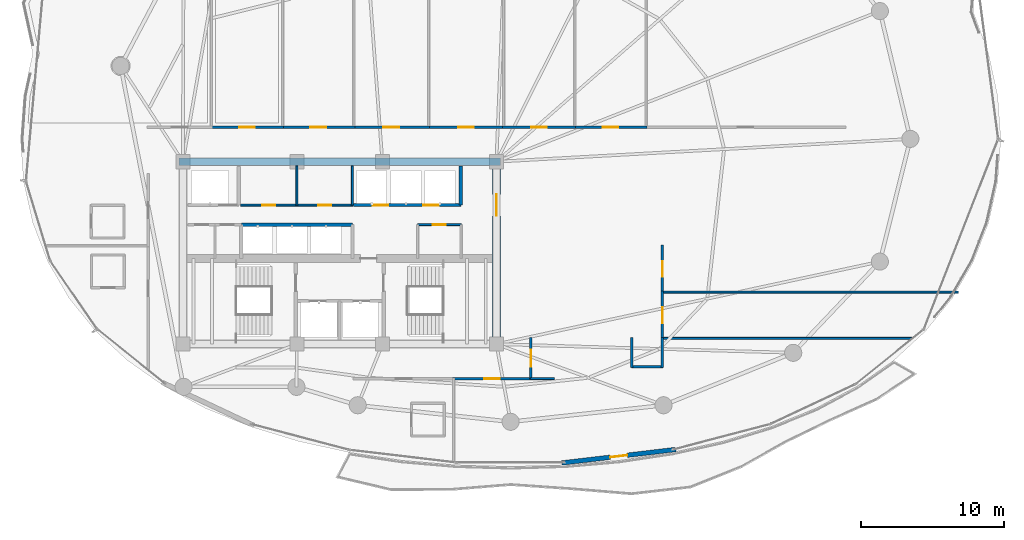
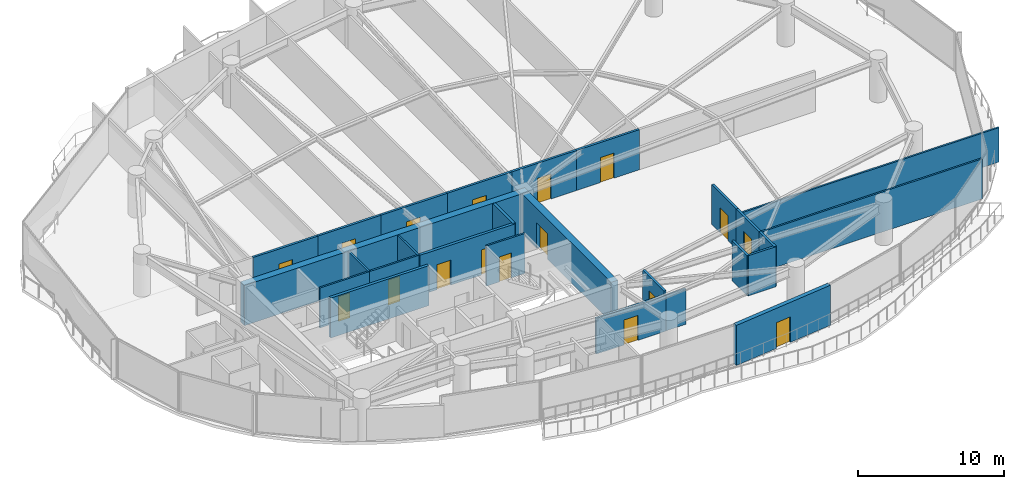
# One storey, part 27 of 33: 27 walls, 17 doors, 17 openings.
"""IFC4 building model written with IfcOpenShell, lengths in metres."""

from ifc_helpers import new_model, si_unit, direction, frame, frame_2d, origin, place, context, subcontext, project, spatial, rectangle, extrude, material, layer, layer_set, type_object, element, fill, save


model = new_model("IFC4")

# Units and contexts
model_context = context("Model", 3, precision=1e-05, world=origin(), true_north=direction((0.0, 1.0)))
body_context = subcontext(model_context, "Body", "Model", "MODEL_VIEW")
ifc_project = project(units=[si_unit("LENGTHUNIT", "METRE"), si_unit("AREAUNIT", "SQUARE_METRE"), si_unit("VOLUMEUNIT", "CUBIC_METRE"), si_unit("PLANEANGLEUNIT", "RADIAN"), si_unit("MASSUNIT", "GRAM", prefix="KILO")], contexts=[model_context])

# Site, building, storey
site_placement = place(None, origin())
site = spatial("IfcSite", under=ifc_project, at=site_placement, CompositionType="ELEMENT")
building_placement = place(site_placement, origin())
building = spatial("IfcBuilding", under=site, at=building_placement, Name="Kazevale Care Tower and Concert Hall", CompositionType="ELEMENT")
storey_placement = place(building_placement, frame((0.0, 0.0, 149.39990234375)))
storey = spatial("IfcBuildingStorey", under=building, at=storey_placement, Name="L39", CompositionType="ELEMENT", Elevation=149.39990234375)

# Wall, opening, door
ifc_material_1 = material(Name="Acoustic Gypsum on Steel Stud", Category="steel")
ifc_layer_1 = layer(ifc_material_1, 0.139892578125)
ifc_layer_set_1 = layer_set([ifc_layer_1], Name="Acoustic Gypsum on Steel Stud")
wall_type_1 = type_object("IfcWallType", Name="Acoustic Care & Suite Partition 140", PredefinedType="PARTITIONING", material=ifc_layer_set_1)
wall_1_placement = place(storey_placement, frame((26.050048828125, 33.35009765625, 0.0), z_axis=(0.0, 0.0, 1.0), x_axis=(1.0, 0.0, 0.0)))
wall_1 = element("IfcWall", 1, at=wall_1_placement, inside=storey, type_object=wall_type_1, Name="wall:L39:c_rpl1_s", PredefinedType="PARTITIONING", context=body_context, shape_type="SweptSolid", body=[
    extrude(rectangle(XDim=3.949951171875, YDim=0.139892578125, at=frame_2d((1.97509765625, 0.0))), origin(), (0.0, 0.0, 1.0), 3.360107421875),
])
opening_1_placement = place(wall_1_placement, frame((1.514892578125, 0.0, 0.0)))
opening_1 = element("IfcOpeningElement", 2, at=opening_1_placement, cuts=wall_1, Name="Opening ID-900", PredefinedType="OPENING", context=body_context, shape_type="SweptSolid", body=[
    extrude(rectangle(XDim=0.919921875, YDim=2.10009765625, at=frame_2d((0.4599609375, 1.050048828125))), frame((0.0, 0.079833984375, 0.0), z_axis=(0.0, -1.0, 0.0), x_axis=(1.0, 0.0, 0.0)), (0.0, 0.0, 1.0), 0.159912109375),
])
ifc_material_2 = material(Name="Oak Timber Fire Leaf", Category="wood")
door_type_1 = type_object("IfcDoorType", Name="Bathroom & Service Door 920x2100", OperationType="NOTDEFINED", PredefinedType="DOOR", material=ifc_material_2)
door_1_placement = place(opening_1_placement, origin())
door_1 = element("IfcDoor", 3, at=door_1_placement, inside=storey, type_object=door_type_1, Name="door:L39:d_rpl1", OperationType="SINGLE_SWING_LEFT", OverallHeight=2.10009765625, OverallWidth=0.919921875, PredefinedType="DOOR", context=body_context, shape_type="SweptSolid", body=[
    extrude(rectangle(XDim=0.919921875, YDim=2.10009765625, at=frame_2d((0.4599609375, 1.050048828125))), frame((0.0, 0.02490234375, 0.0), z_axis=(0.0, -1.0, 0.0), x_axis=(1.0, 0.0, 0.0)), (0.0, 0.0, 1.0), 0.050048828125),
])
fill(opening_1, door_1)

wall_2_placement = place(storey_placement, frame((30.0, 33.35009765625, 0.0), z_axis=(0.0, 0.0, 1.0), x_axis=(1.0, 0.0, 0.0)))
wall_2 = element("IfcWall", 4, at=wall_2_placement, inside=storey, type_object=wall_type_1, Name="wall:L39:c_rpl2_s", PredefinedType="PARTITIONING", context=body_context, shape_type="SweptSolid", body=[
    extrude(rectangle(XDim=3.919921875, YDim=0.139892578125, at=frame_2d((1.9599609375, 0.0))), origin(), (0.0, 0.0, 1.0), 3.360107421875),
])
opening_2_placement = place(wall_2_placement, frame((1.5, 0.0, 0.0)))
opening_2 = element("IfcOpeningElement", 5, at=opening_2_placement, cuts=wall_2, Name="Opening ID-900", PredefinedType="OPENING", context=body_context, shape_type="SweptSolid", body=[
    extrude(rectangle(XDim=0.919921875, YDim=2.10009765625, at=frame_2d((0.4599609375, 1.050048828125))), frame((0.0, 0.079833984375, 0.0), z_axis=(0.0, -1.0, 0.0), x_axis=(1.0, 0.0, 0.0)), (0.0, 0.0, 1.0), 0.159912109375),
])
door_2_placement = place(opening_2_placement, origin())
door_2 = element("IfcDoor", 6, at=door_2_placement, inside=storey, type_object=door_type_1, Name="door:L39:d_rpl2", OperationType="SINGLE_SWING_RIGHT", OverallHeight=2.10009765625, OverallWidth=0.919921875, PredefinedType="DOOR", context=body_context, shape_type="SweptSolid", body=[
    extrude(rectangle(XDim=0.919921875, YDim=2.10009765625, at=frame_2d((0.4599609375, 1.050048828125))), frame((0.0, 0.02490234375, 0.0), z_axis=(0.0, -1.0, 0.0), x_axis=(1.0, 0.0, 0.0)), (0.0, 0.0, 1.0), 0.050048828125),
])
fill(opening_2, door_2)

# Walls
for number, where, z_axis, x_axis, name in (
    (7, (30.0, 33.35009765625, 0.0), (0.0, 0.0, 1.0), (0.0, 1.0, 0.0), "wall:L39:c_rpl_m"),
    (8, (33.89990234375, 33.35009765625, 0.0), (0.0, 0.0, 1.0), (0.0, 1.0, 0.0), "wall:L39:c_rpl_e"),
):
    element("IfcWall", number, at=place(storey_placement, frame(where, z_axis=z_axis, x_axis=x_axis)), inside=storey, type_object=wall_type_1, Name=name, PredefinedType="PARTITIONING", context=body_context, shape_type="SweptSolid", body=[
        extrude(rectangle(XDim=2.75, YDim=0.139892578125, at=frame_2d((1.375, 0.0))), origin(), (0.0, 0.0, 1.0), 3.360107421875),
    ])

# Wall, opening, door
wall_3_placement = place(storey_placement, frame((38.47998046875, 31.97998046875, 0.0), z_axis=(0.0, 0.0, 1.0), x_axis=(1.0, 0.0, 0.0)))
wall_3 = element("IfcWall", 9, at=wall_3_placement, inside=storey, type_object=wall_type_1, Name="wall:L39:kb_en", PredefinedType="PARTITIONING", context=body_context, shape_type="SweptSolid", body=[
    extrude(rectangle(XDim=3.0400390625, YDim=0.139892578125, at=frame_2d((1.52001953125, 0.0))), origin(), (0.0, 0.0, 1.0), 3.360107421875),
])
opening_3_placement = place(wall_3_placement, frame((1.044921875, 0.0, 0.0)))
opening_3 = element("IfcOpeningElement", 10, at=opening_3_placement, cuts=wall_3, Name="Opening ID-900", PredefinedType="OPENING", context=body_context, shape_type="SweptSolid", body=[
    extrude(rectangle(XDim=0.919921875, YDim=2.10009765625, at=frame_2d((0.4599609375, 1.050048828125))), frame((0.0, 0.079833984375, 0.0), z_axis=(0.0, -1.0, 0.0), x_axis=(1.0, 0.0, 0.0)), (0.0, 0.0, 1.0), 0.159912109375),
])
door_3_placement = place(opening_3_placement, origin())
door_3 = element("IfcDoor", 11, at=door_3_placement, inside=storey, type_object=door_type_1, Name="door:L39:d_kbe", OperationType="SINGLE_SWING_LEFT", OverallHeight=2.10009765625, OverallWidth=0.919921875, PredefinedType="DOOR", context=body_context, shape_type="SweptSolid", body=[
    extrude(rectangle(XDim=0.919921875, YDim=2.10009765625, at=frame_2d((0.4599609375, 1.050048828125))), frame((0.0, 0.02490234375, 0.0), z_axis=(0.0, -1.0, 0.0), x_axis=(1.0, 0.0, 0.0)), (0.0, 0.0, 1.0), 0.050048828125),
])
fill(opening_3, door_3)

# Walls
wall_4_placement = place(storey_placement, frame((55.6201171875, 24.0, 0.0), z_axis=(0.0, 0.0, 1.0), x_axis=(1.0, 0.0, 0.0)))
element("IfcWall", 12, at=wall_4_placement, inside=storey, type_object=wall_type_1, Name="wall:L39:auto_026", PredefinedType="PARTITIONING", context=body_context, shape_type="SweptSolid", body=[
    extrude(rectangle(XDim=17.572998046875, YDim=0.139892578125, at=frame_2d((8.78662109375, 0.0))), origin(), (0.0, 0.0, 1.0), 3.360107421875),
])
wall_5_placement = place(storey_placement, frame((48.06494140625, 21.175048828125, 0.0), z_axis=(0.0, 0.0, 1.0), x_axis=(-1.0, 0.0, 0.0)))
element("IfcWall", 13, at=wall_5_placement, inside=storey, type_object=wall_type_1, Name="wall:L39:auto_027", PredefinedType="PARTITIONING", context=body_context, shape_type="SweptSolid", body=[
    extrude(rectangle(XDim=1.669921875, YDim=0.139892578125, at=frame_2d((0.8349609375, 0.0))), origin(), (0.0, 0.0, 1.0), 2.99609375),
])
wall_6_placement = place(storey_placement, frame((55.6201171875, 27.25, 0.0), z_axis=(0.0, 0.0, 1.0), x_axis=(1.0, 0.0, 0.0)))
element("IfcWall", 14, at=wall_6_placement, inside=storey, type_object=wall_type_1, Name="wall:L39:auto_028", PredefinedType="PARTITIONING", context=body_context, shape_type="SweptSolid", body=[
    extrude(rectangle(XDim=20.79296875, YDim=0.139892578125, at=frame_2d((10.396484375, 0.0))), origin(), (0.0, 0.0, 1.0), 2.89013671875),
])
ifc_material_3 = material(Name="Concrete C60", Category="concrete")
ifc_layer_2 = layer(ifc_material_3, 0.550048828125)
ifc_layer_set_2 = layer_set([ifc_layer_2], Name="Concrete C60")
wall_type_2 = type_object("IfcWallType", Name="Core Shear Wall 550 C60", PredefinedType="SHEAR", material=ifc_layer_set_2)
wall_7_placement = place(storey_placement, frame((21.72509765625, 36.39990234375, 0.0), z_axis=(0.0, 0.0, 1.0), x_axis=(1.0, 0.0, 0.0)))
element("IfcWall", 15, at=wall_7_placement, inside=storey, type_object=wall_type_2, Name="wall:L39:core:N", PredefinedType="SHEAR", context=body_context, shape_type="SweptSolid", body=[
    extrude(rectangle(XDim=22.5498046875, YDim=0.550048828125, at=frame_2d((11.27490234375, 0.0))), origin(), (0.0, 0.0, 1.0), 3.360107421875),
])

# Wall, opening, door
wall_8_placement = place(storey_placement, frame((44.0, 23.875, 0.0), z_axis=(0.0, 0.0, 1.0), x_axis=(0.0, 1.0, 0.0)))
wall_8 = element("IfcWall", 16, at=wall_8_placement, inside=storey, type_object=wall_type_2, Name="wall:L39:core:E", PredefinedType="SHEAR", context=body_context, shape_type="SweptSolid", body=[
    extrude(rectangle(XDim=12.25, YDim=0.550048828125, at=frame_2d((6.125, 0.0))), origin(), (0.0, 0.0, 1.0), 3.360107421875),
])
opening_4_placement = place(wall_8_placement, frame((8.72509765625, 0.0, 0.0)))
opening_4 = element("IfcOpeningElement", 17, at=opening_4_placement, cuts=wall_8, Name="Opening FD-60D", PredefinedType="OPENING", context=body_context, shape_type="SweptSolid", body=[
    extrude(rectangle(XDim=1.5, YDim=2.14990234375, at=frame_2d((0.75, 1.074951171875))), frame((0.0, 0.284912109375, 0.0), z_axis=(0.0, -1.0, 0.0), x_axis=(1.0, 0.0, 0.0)), (0.0, 0.0, 1.0), 0.570068359375),
])
door_type_2 = type_object("IfcDoorType", Name="Double Lobby & Auditorium Fire Door 1500x2150", OperationType="NOTDEFINED", PredefinedType="DOOR", material=ifc_material_2)
door_4_placement = place(opening_4_placement, origin())
door_4 = element("IfcDoor", 18, at=door_4_placement, inside=storey, type_object=door_type_2, Name="door:L39:core_east_out", OperationType="DOUBLE_DOOR_SINGLE_SWING", OverallHeight=2.14990234375, OverallWidth=1.5, PredefinedType="DOOR", context=body_context, shape_type="SweptSolid", body=[
    extrude(rectangle(XDim=1.5, YDim=2.14990234375, at=frame_2d((0.75, 1.074951171875))), frame((0.0, 0.02490234375, 0.0), z_axis=(0.0, -1.0, 0.0), x_axis=(1.0, 0.0, 0.0)), (0.0, 0.0, 1.0), 0.050048828125),
])
fill(opening_4, door_4)

# Wall
ifc_material_4 = material(Name="Concrete C40", Category="concrete")
ifc_layer_3 = layer(ifc_material_4, 0.219970703125)
ifc_layer_set_3 = layer_set([ifc_layer_3], Name="Concrete C40")
wall_type_3 = type_object("IfcWallType", Name="Elevator Hoistway Shaft Wall 220", PredefinedType="SOLIDWALL", material=ifc_layer_set_3)
wall_9_placement = place(storey_placement, frame((26.10009765625, 31.97998046875, 0.0), z_axis=(0.0, 0.0, 1.0), x_axis=(1.0, 0.0, 0.0)))
element("IfcWall", 19, at=wall_9_placement, inside=storey, type_object=wall_type_3, Name="wall:L39:c_ph_n", PredefinedType="SOLIDWALL", context=body_context, shape_type="SweptSolid", body=[
    extrude(rectangle(XDim=7.7998046875, YDim=0.219970703125, at=frame_2d((3.89990234375, 0.0))), origin(), (0.0, 0.0, 1.0), 3.360107421875),
])

# Wall, openings, doors
wall_10_placement = place(storey_placement, frame((33.97998046875, 33.35009765625, 0.0), z_axis=(0.0, 0.0, 1.0), x_axis=(1.0, 0.0, 0.0)))
wall_10 = element("IfcWall", 20, at=wall_10_placement, inside=storey, type_object=wall_type_3, Name="wall:L39:c_pm_s", PredefinedType="SOLIDWALL", context=body_context, shape_type="SweptSolid", body=[
    extrude(rectangle(XDim=7.5400390625, YDim=0.219970703125, at=frame_2d((3.77001953125, 0.0))), origin(), (0.0, 0.0, 1.0), 3.360107421875),
])
opening_5_placement = place(wall_10_placement, frame((1.3349609375, 0.0, 0.0)))
opening_5 = element("IfcOpeningElement", 21, at=opening_5_placement, cuts=wall_10, Name="Opening LD-PAX", PredefinedType="OPENING", context=body_context, shape_type="SweptSolid", body=[
    extrude(rectangle(XDim=1.10009765625, YDim=2.10009765625, at=frame_2d((0.550048828125, 1.050048828125))), frame((0.0, 0.119873046875, 0.0), z_axis=(0.0, -1.0, 0.0), x_axis=(1.0, 0.0, 0.0)), (0.0, 0.0, 1.0), 0.239990234375),
])
opening_6_placement = place(wall_10_placement, frame((4.87890625, 0.0, 0.0)))
opening_6 = element("IfcOpeningElement", 22, at=opening_6_placement, cuts=wall_10, Name="Opening LD-PAX", PredefinedType="OPENING", context=body_context, shape_type="SweptSolid", body=[
    extrude(rectangle(XDim=1.10009765625, YDim=2.10009765625, at=frame_2d((0.550048828125, 1.050048828125))), frame((0.0, 0.119873046875, 0.0), z_axis=(0.0, -1.0, 0.0), x_axis=(1.0, 0.0, 0.0)), (0.0, 0.0, 1.0), 0.239990234375),
])
ifc_material_5 = material(Name="Stainless Steel 316", Category="steel")
door_type_3 = type_object("IfcDoorType", Name="Passenger Lift Sliding Landing Door 1100x2100", OperationType="NOTDEFINED", PredefinedType="DOOR", material=ifc_material_5)
door_5_placement = place(opening_5_placement, origin())
door_5 = element("IfcDoor", 23, at=door_5_placement, inside=storey, type_object=door_type_3, Name="door:L39:ld_pm1", OperationType="SLIDING_TO_LEFT", OverallHeight=2.10009765625, OverallWidth=1.10009765625, PredefinedType="DOOR", context=body_context, shape_type="SweptSolid", body=[
    extrude(rectangle(XDim=1.10009765625, YDim=2.10009765625, at=frame_2d((0.550048828125, 1.050048828125))), frame((0.0, 0.02490234375, 0.0), z_axis=(0.0, -1.0, 0.0), x_axis=(1.0, 0.0, 0.0)), (0.0, 0.0, 1.0), 0.050048828125),
])
fill(opening_5, door_5)
door_6_placement = place(opening_6_placement, origin())
door_6 = element("IfcDoor", 24, at=door_6_placement, inside=storey, type_object=door_type_3, Name="door:L39:ld_pm2", OperationType="SLIDING_TO_RIGHT", OverallHeight=2.10009765625, OverallWidth=1.10009765625, PredefinedType="DOOR", context=body_context, shape_type="SweptSolid", body=[
    extrude(rectangle(XDim=1.10009765625, YDim=2.10009765625, at=frame_2d((0.550048828125, 1.050048828125))), frame((0.0, 0.02490234375, 0.0), z_axis=(0.0, -1.0, 0.0), x_axis=(1.0, 0.0, 0.0)), (0.0, 0.0, 1.0), 0.050048828125),
])
fill(opening_6, door_6)

# Wall
wall_11_placement = place(storey_placement, frame((41.5, 33.35009765625, 0.0), z_axis=(0.0, 0.0, 1.0), x_axis=(0.0, 1.0, 0.0)))
element("IfcWall", 25, at=wall_11_placement, inside=storey, type_object=wall_type_3, Name="wall:L39:c_pm_e", PredefinedType="SOLIDWALL", context=body_context, shape_type="SweptSolid", body=[
    extrude(rectangle(XDim=2.75, YDim=0.219970703125, at=frame_2d((1.375, 0.0))), origin(), (0.0, 0.0, 1.0), 3.360107421875),
])

# Wall, opening, door
ifc_material_6 = material(Name="Concrete C40 and Acoustic Gypsum", Category="concrete")
ifc_layer_4 = layer(ifc_material_6, 0.179931640625)
ifc_layer_set_4 = layer_set([ifc_layer_4], Name="Concrete C40 and Acoustic Gypsum")
wall_type_4 = type_object("IfcWallType", Name="Fire-Rated Corridor & Party Wall 180", PredefinedType="PARTITIONING", material=ifc_layer_set_4)
wall_12_placement = place(storey_placement, frame((23.93505859375, 38.824951171875, 0.0), z_axis=(0.0, 0.0, 1.0), x_axis=(1.0, 0.0, 0.0)))
wall_12 = element("IfcWall", 26, at=wall_12_placement, inside=storey, type_object=wall_type_4, Name="wall:L39:auto_002", PredefinedType="PARTITIONING", context=body_context, shape_type="SweptSolid", body=[
    extrude(rectangle(XDim=5.1298828125, YDim=0.179931640625, at=frame_2d((2.56494140625, 0.0))), origin(), (0.0, 0.0, 1.0), 3.360107421875),
])
opening_7_placement = place(wall_12_placement, frame((2.014892578125, 0.0, 0.0)))
opening_7 = element("IfcOpeningElement", 27, at=opening_7_placement, cuts=wall_12, Name="Opening ID-1100", PredefinedType="OPENING", context=body_context, shape_type="SweptSolid", body=[
    extrude(rectangle(XDim=1.10009765625, YDim=2.10009765625, at=frame_2d((0.550048828125, 1.050048828125))), frame((0.0, 0.099853515625, 0.0), z_axis=(0.0, -1.0, 0.0), x_axis=(1.0, 0.0, 0.0)), (0.0, 0.0, 1.0), 0.199951171875),
])
door_type_4 = type_object("IfcDoorType", Name="Care Bedroom Accessible Door 1100x2100", OperationType="NOTDEFINED", PredefinedType="DOOR", material=ifc_material_2)
door_7_placement = place(opening_7_placement, origin())
door_7 = element("IfcDoor", 28, at=door_7_placement, inside=storey, type_object=door_type_4, Name="door:L39:ad_002", OperationType="SINGLE_SWING_LEFT", OverallHeight=2.10009765625, OverallWidth=1.10009765625, PredefinedType="DOOR", context=body_context, shape_type="SweptSolid", body=[
    extrude(rectangle(XDim=1.10009765625, YDim=2.10009765625, at=frame_2d((0.550048828125, 1.050048828125))), frame((0.0, 0.02490234375, 0.0), z_axis=(0.0, -1.0, 0.0), x_axis=(1.0, 0.0, 0.0)), (0.0, 0.0, 1.0), 0.050048828125),
])
fill(opening_7, door_7)

wall_13_placement = place(storey_placement, frame((28.93505859375, 38.824951171875, 0.0), z_axis=(0.0, 0.0, 1.0), x_axis=(1.0, 0.0, 0.0)))
wall_13 = element("IfcWall", 29, at=wall_13_placement, inside=storey, type_object=wall_type_4, Name="wall:L39:auto_003", PredefinedType="PARTITIONING", context=body_context, shape_type="SweptSolid", body=[
    extrude(rectangle(XDim=5.1298828125, YDim=0.179931640625, at=frame_2d((2.56494140625, 0.0))), origin(), (0.0, 0.0, 1.0), 3.360107421875),
])
opening_8_placement = place(wall_13_placement, frame((2.014892578125, 0.0, 0.0)))
opening_8 = element("IfcOpeningElement", 30, at=opening_8_placement, cuts=wall_13, Name="Opening ID-1100", PredefinedType="OPENING", context=body_context, shape_type="SweptSolid", body=[
    extrude(rectangle(XDim=1.10009765625, YDim=2.10009765625, at=frame_2d((0.550048828125, 1.050048828125))), frame((0.0, 0.099853515625, 0.0), z_axis=(0.0, -1.0, 0.0), x_axis=(1.0, 0.0, 0.0)), (0.0, 0.0, 1.0), 0.199951171875),
])
door_8_placement = place(opening_8_placement, origin())
door_8 = element("IfcDoor", 31, at=door_8_placement, inside=storey, type_object=door_type_4, Name="door:L39:ad_003", OperationType="SINGLE_SWING_LEFT", OverallHeight=2.10009765625, OverallWidth=1.10009765625, PredefinedType="DOOR", context=body_context, shape_type="SweptSolid", body=[
    extrude(rectangle(XDim=1.10009765625, YDim=2.10009765625, at=frame_2d((0.550048828125, 1.050048828125))), frame((0.0, 0.02490234375, 0.0), z_axis=(0.0, -1.0, 0.0), x_axis=(1.0, 0.0, 0.0)), (0.0, 0.0, 1.0), 0.050048828125),
])
fill(opening_8, door_8)

wall_14_placement = place(storey_placement, frame((33.93505859375, 38.824951171875, 0.0), z_axis=(0.0, 0.0, 1.0), x_axis=(1.0, 0.0, 0.0)))
wall_14 = element("IfcWall", 32, at=wall_14_placement, inside=storey, type_object=wall_type_4, Name="wall:L39:auto_004", PredefinedType="PARTITIONING", context=body_context, shape_type="SweptSolid", body=[
    extrude(rectangle(XDim=5.3798828125, YDim=0.179931640625, at=frame_2d((2.68994140625, 0.0))), origin(), (0.0, 0.0, 1.0), 3.360107421875),
])
opening_9_placement = place(wall_14_placement, frame((2.139892578125, 0.0, 0.0)))
opening_9 = element("IfcOpeningElement", 33, at=opening_9_placement, cuts=wall_14, Name="Opening ID-1100", PredefinedType="OPENING", context=body_context, shape_type="SweptSolid", body=[
    extrude(rectangle(XDim=1.10009765625, YDim=2.10009765625, at=frame_2d((0.550048828125, 1.050048828125))), frame((0.0, 0.099853515625, 0.0), z_axis=(0.0, -1.0, 0.0), x_axis=(1.0, 0.0, 0.0)), (0.0, 0.0, 1.0), 0.199951171875),
])
door_9_placement = place(opening_9_placement, origin())
door_9 = element("IfcDoor", 34, at=door_9_placement, inside=storey, type_object=door_type_4, Name="door:L39:ad_004", OperationType="SINGLE_SWING_LEFT", OverallHeight=2.10009765625, OverallWidth=1.10009765625, PredefinedType="DOOR", context=body_context, shape_type="SweptSolid", body=[
    extrude(rectangle(XDim=1.10009765625, YDim=2.10009765625, at=frame_2d((0.550048828125, 1.050048828125))), frame((0.0, 0.02490234375, 0.0), z_axis=(0.0, -1.0, 0.0), x_axis=(1.0, 0.0, 0.0)), (0.0, 0.0, 1.0), 0.050048828125),
])
fill(opening_9, door_9)

wall_15_placement = place(storey_placement, frame((39.18505859375, 38.824951171875, 0.0), z_axis=(0.0, 0.0, 1.0), x_axis=(1.0, 0.0, 0.0)))
wall_15 = element("IfcWall", 35, at=wall_15_placement, inside=storey, type_object=wall_type_4, Name="wall:L39:auto_005", PredefinedType="PARTITIONING", context=body_context, shape_type="SweptSolid", body=[
    extrude(rectangle(XDim=5.3798828125, YDim=0.179931640625, at=frame_2d((2.68994140625, 0.0))), origin(), (0.0, 0.0, 1.0), 3.360107421875),
])
opening_10_placement = place(wall_15_placement, frame((2.139892578125, 0.0, 0.0)))
opening_10 = element("IfcOpeningElement", 36, at=opening_10_placement, cuts=wall_15, Name="Opening ID-1100", PredefinedType="OPENING", context=body_context, shape_type="SweptSolid", body=[
    extrude(rectangle(XDim=1.10009765625, YDim=2.10009765625, at=frame_2d((0.550048828125, 1.050048828125))), frame((0.0, 0.099853515625, 0.0), z_axis=(0.0, -1.0, 0.0), x_axis=(1.0, 0.0, 0.0)), (0.0, 0.0, 1.0), 0.199951171875),
])
door_10_placement = place(opening_10_placement, origin())
door_10 = element("IfcDoor", 37, at=door_10_placement, inside=storey, type_object=door_type_4, Name="door:L39:ad_005", OperationType="SINGLE_SWING_LEFT", OverallHeight=2.10009765625, OverallWidth=1.10009765625, PredefinedType="DOOR", context=body_context, shape_type="SweptSolid", body=[
    extrude(rectangle(XDim=1.10009765625, YDim=2.10009765625, at=frame_2d((0.550048828125, 1.050048828125))), frame((0.0, 0.02490234375, 0.0), z_axis=(0.0, -1.0, 0.0), x_axis=(1.0, 0.0, 0.0)), (0.0, 0.0, 1.0), 0.050048828125),
])
fill(opening_10, door_10)

wall_16_placement = place(storey_placement, frame((44.43505859375, 38.824951171875, 0.0), z_axis=(0.0, 0.0, 1.0), x_axis=(1.0, 0.0, 0.0)))
wall_16 = element("IfcWall", 38, at=wall_16_placement, inside=storey, type_object=wall_type_4, Name="wall:L39:auto_006", PredefinedType="PARTITIONING", context=body_context, shape_type="SweptSolid", body=[
    extrude(rectangle(XDim=5.1298828125, YDim=0.179931640625, at=frame_2d((2.56494140625, 0.0))), origin(), (0.0, 0.0, 1.0), 3.360107421875),
])
opening_11_placement = place(wall_16_placement, frame((2.014892578125, 0.0, 0.0)))
opening_11 = element("IfcOpeningElement", 39, at=opening_11_placement, cuts=wall_16, Name="Opening ID-1100", PredefinedType="OPENING", context=body_context, shape_type="SweptSolid", body=[
    extrude(rectangle(XDim=1.10009765625, YDim=2.10009765625, at=frame_2d((0.550048828125, 1.050048828125))), frame((0.0, 0.099853515625, 0.0), z_axis=(0.0, -1.0, 0.0), x_axis=(1.0, 0.0, 0.0)), (0.0, 0.0, 1.0), 0.199951171875),
])
door_11_placement = place(opening_11_placement, origin())
door_11 = element("IfcDoor", 40, at=door_11_placement, inside=storey, type_object=door_type_4, Name="door:L39:ad_006", OperationType="SINGLE_SWING_LEFT", OverallHeight=2.10009765625, OverallWidth=1.10009765625, PredefinedType="DOOR", context=body_context, shape_type="SweptSolid", body=[
    extrude(rectangle(XDim=1.10009765625, YDim=2.10009765625, at=frame_2d((0.550048828125, 1.050048828125))), frame((0.0, 0.02490234375, 0.0), z_axis=(0.0, -1.0, 0.0), x_axis=(1.0, 0.0, 0.0)), (0.0, 0.0, 1.0), 0.050048828125),
])
fill(opening_11, door_11)

wall_17_placement = place(storey_placement, frame((49.43505859375, 38.824951171875, 0.0), z_axis=(0.0, 0.0, 1.0), x_axis=(1.0, 0.0, 0.0)))
wall_17 = element("IfcWall", 41, at=wall_17_placement, inside=storey, type_object=wall_type_4, Name="wall:L39:auto_007", PredefinedType="PARTITIONING", context=body_context, shape_type="SweptSolid", body=[
    extrude(rectangle(XDim=5.1298828125, YDim=0.179931640625, at=frame_2d((2.56494140625, 0.0))), origin(), (0.0, 0.0, 1.0), 3.360107421875),
])
opening_12_placement = place(wall_17_placement, frame((2.014892578125, 0.0, 0.0)))
opening_12 = element("IfcOpeningElement", 42, at=opening_12_placement, cuts=wall_17, Name="Opening ID-1100", PredefinedType="OPENING", context=body_context, shape_type="SweptSolid", body=[
    extrude(rectangle(XDim=1.10009765625, YDim=2.10009765625, at=frame_2d((0.550048828125, 1.050048828125))), frame((0.0, 0.099853515625, 0.0), z_axis=(0.0, -1.0, 0.0), x_axis=(1.0, 0.0, 0.0)), (0.0, 0.0, 1.0), 0.199951171875),
])
door_12_placement = place(opening_12_placement, origin())
door_12 = element("IfcDoor", 43, at=door_12_placement, inside=storey, type_object=door_type_4, Name="door:L39:ad_007", OperationType="SINGLE_SWING_LEFT", OverallHeight=2.10009765625, OverallWidth=1.10009765625, PredefinedType="DOOR", context=body_context, shape_type="SweptSolid", body=[
    extrude(rectangle(XDim=1.10009765625, YDim=2.10009765625, at=frame_2d((0.550048828125, 1.050048828125))), frame((0.0, 0.02490234375, 0.0), z_axis=(0.0, -1.0, 0.0), x_axis=(1.0, 0.0, 0.0)), (0.0, 0.0, 1.0), 0.050048828125),
])
fill(opening_12, door_12)

wall_18_placement = place(storey_placement, frame((46.425048828125, 24.06494140625, 0.0), z_axis=(0.0, 0.0, 1.0), x_axis=(0.0, -1.0, 0.0)))
wall_18 = element("IfcWall", 44, at=wall_18_placement, inside=storey, type_object=wall_type_4, Name="wall:L39:auto_009", PredefinedType="PARTITIONING", context=body_context, shape_type="SweptSolid", body=[
    extrude(rectangle(XDim=2.919921875, YDim=0.179931640625, at=frame_2d((1.4599609375, 0.0))), origin(), (0.0, 0.0, 1.0), 3.360107421875),
])
opening_13_placement = place(wall_18_placement, frame((0.860107421875, 0.0, 0.0)))
opening_13 = element("IfcOpeningElement", 45, at=opening_13_placement, cuts=wall_18, Name="Opening ID-1200", PredefinedType="OPENING", context=body_context, shape_type="SweptSolid", body=[
    extrude(rectangle(XDim=1.199951171875, YDim=2.14990234375, at=frame_2d((0.60009765625, 1.074951171875))), frame((0.0, 0.099853515625, 0.0), z_axis=(0.0, -1.0, 0.0), x_axis=(1.0, 0.0, 0.0)), (0.0, 0.0, 1.0), 0.199951171875),
])
door_type_5 = type_object("IfcDoorType", Name="Clinical & Therapy Door 1200x2150", OperationType="NOTDEFINED", PredefinedType="DOOR", material=ifc_material_2)
door_13_placement = place(opening_13_placement, origin())
door_13 = element("IfcDoor", 46, at=door_13_placement, inside=storey, type_object=door_type_5, Name="door:L39:ad_009", OperationType="SINGLE_SWING_LEFT", OverallHeight=2.14990234375, OverallWidth=1.199951171875, PredefinedType="DOOR", context=body_context, shape_type="SweptSolid", body=[
    extrude(rectangle(XDim=1.199951171875, YDim=2.14990234375, at=frame_2d((0.60009765625, 1.074951171875))), frame((0.0, 0.02490234375, 0.0), z_axis=(0.0, -1.0, 0.0), x_axis=(1.0, 0.0, 0.0)), (0.0, 0.0, 1.0), 0.050048828125),
])
fill(opening_13, door_13)

# Walls
wall_19_placement = place(storey_placement, frame((55.679931640625, 22.0, 0.0), z_axis=(0.0, 0.0, 1.0), x_axis=(-1.0, 0.0, 0.0)))
element("IfcWall", 47, at=wall_19_placement, inside=storey, type_object=wall_type_4, Name="wall:L39:auto_010", PredefinedType="PARTITIONING", context=body_context, shape_type="SweptSolid", body=[
    extrude(rectangle(XDim=2.2099609375, YDim=0.179931640625, at=frame_2d((1.10498046875, 0.0))), origin(), (0.0, 0.0, 1.0), 3.360107421875),
])
for number, where, z_axis, x_axis, name in (
    (48, (55.64990234375, 24.06494140625, 0.0), (0.0, 0.0, 1.0), (0.0, -1.0, 0.0), "wall:L39:auto_011"),
    (49, (53.5, 21.969970703125, 0.0), (0.0, 0.0, 1.0), (0.0, 1.0, 0.0), "wall:L39:auto_012"),
):
    element("IfcWall", number, at=place(storey_placement, frame(where, z_axis=z_axis, x_axis=x_axis)), inside=storey, type_object=wall_type_4, Name=name, PredefinedType="PARTITIONING", context=body_context, shape_type="SweptSolid", body=[
        extrude(rectangle(XDim=2.094970703125, YDim=0.179931640625, at=frame_2d((1.04736328125, 0.0))), origin(), (0.0, 0.0, 1.0), 3.360107421875),
    ])

# Wall, opening, door
wall_20_placement = place(storey_placement, frame((55.64990234375, 27.31494140625, 0.0), z_axis=(0.0, 0.0, 1.0), x_axis=(0.0, -1.0, 0.0)))
wall_20 = element("IfcWall", 50, at=wall_20_placement, inside=storey, type_object=wall_type_4, Name="wall:L39:auto_013", PredefinedType="PARTITIONING", context=body_context, shape_type="SweptSolid", body=[
    extrude(rectangle(XDim=3.3798828125, YDim=0.179931640625, at=frame_2d((1.68994140625, 0.0))), origin(), (0.0, 0.0, 1.0), 3.360107421875),
])
opening_14_placement = place(wall_20_placement, frame((1.139892578125, 0.0, 0.0)))
opening_14 = element("IfcOpeningElement", 51, at=opening_14_placement, cuts=wall_20, Name="Opening ID-1100", PredefinedType="OPENING", context=body_context, shape_type="SweptSolid", body=[
    extrude(rectangle(XDim=1.10009765625, YDim=2.10009765625, at=frame_2d((0.550048828125, 1.050048828125))), frame((0.0, 0.099853515625, 0.0), z_axis=(0.0, -1.0, 0.0), x_axis=(1.0, 0.0, 0.0)), (0.0, 0.0, 1.0), 0.199951171875),
])
door_14_placement = place(opening_14_placement, origin())
door_14 = element("IfcDoor", 52, at=door_14_placement, inside=storey, type_object=door_type_4, Name="door:L39:ad_013", OperationType="SINGLE_SWING_LEFT", OverallHeight=2.10009765625, OverallWidth=1.10009765625, PredefinedType="DOOR", context=body_context, shape_type="SweptSolid", body=[
    extrude(rectangle(XDim=1.10009765625, YDim=2.10009765625, at=frame_2d((0.550048828125, 1.050048828125))), frame((0.0, 0.02490234375, 0.0), z_axis=(0.0, -1.0, 0.0), x_axis=(1.0, 0.0, 0.0)), (0.0, 0.0, 1.0), 0.050048828125),
])
fill(opening_14, door_14)

wall_21_placement = place(storey_placement, frame((55.64990234375, 30.56494140625, 0.0), z_axis=(0.0, 0.0, 1.0), x_axis=(0.0, -1.0, 0.0)))
wall_21 = element("IfcWall", 53, at=wall_21_placement, inside=storey, type_object=wall_type_4, Name="wall:L39:auto_014", PredefinedType="PARTITIONING", context=body_context, shape_type="SweptSolid", body=[
    extrude(rectangle(XDim=3.3798828125, YDim=0.179931640625, at=frame_2d((1.68994140625, 0.0))), origin(), (0.0, 0.0, 1.0), 3.360107421875),
])
opening_15_placement = place(wall_21_placement, frame((1.139892578125, 0.0, 0.0)))
opening_15 = element("IfcOpeningElement", 54, at=opening_15_placement, cuts=wall_21, Name="Opening ID-1100", PredefinedType="OPENING", context=body_context, shape_type="SweptSolid", body=[
    extrude(rectangle(XDim=1.10009765625, YDim=2.10009765625, at=frame_2d((0.550048828125, 1.050048828125))), frame((0.0, 0.099853515625, 0.0), z_axis=(0.0, -1.0, 0.0), x_axis=(1.0, 0.0, 0.0)), (0.0, 0.0, 1.0), 0.199951171875),
])
door_15_placement = place(opening_15_placement, origin())
door_15 = element("IfcDoor", 55, at=door_15_placement, inside=storey, type_object=door_type_4, Name="door:L39:ad_014", OperationType="SINGLE_SWING_LEFT", OverallHeight=2.10009765625, OverallWidth=1.10009765625, PredefinedType="DOOR", context=body_context, shape_type="SweptSolid", body=[
    extrude(rectangle(XDim=1.10009765625, YDim=2.10009765625, at=frame_2d((0.550048828125, 1.050048828125))), frame((0.0, 0.02490234375, 0.0), z_axis=(0.0, -1.0, 0.0), x_axis=(1.0, 0.0, 0.0)), (0.0, 0.0, 1.0), 0.050048828125),
])
fill(opening_15, door_15)

wall_22_placement = place(storey_placement, frame((46.455078125, 21.175048828125, 0.0), z_axis=(0.0, 0.0, 1.0), x_axis=(-1.0, 0.0, 0.0)))
wall_22 = element("IfcWall", 56, at=wall_22_placement, inside=storey, type_object=wall_type_4, Name="wall:L39:auto_016", PredefinedType="PARTITIONING", context=body_context, shape_type="SweptSolid", body=[
    extrude(rectangle(XDim=5.52001953125, YDim=0.179931640625, at=frame_2d((2.760009765625, 0.0))), origin(), (0.0, 0.0, 1.0), 2.99609375),
])
opening_16_placement = place(wall_22_placement, frame((2.2099609375, 0.0, 0.0)))
opening_16 = element("IfcOpeningElement", 57, at=opening_16_placement, cuts=wall_22, Name="Opening ID-1100", PredefinedType="OPENING", context=body_context, shape_type="SweptSolid", body=[
    extrude(rectangle(XDim=1.10009765625, YDim=2.10009765625, at=frame_2d((0.550048828125, 1.050048828125))), frame((0.0, 0.099853515625, 0.0), z_axis=(0.0, -1.0, 0.0), x_axis=(1.0, 0.0, 0.0)), (0.0, 0.0, 1.0), 0.199951171875),
])
door_16_placement = place(opening_16_placement, origin())
door_16 = element("IfcDoor", 58, at=door_16_placement, inside=storey, type_object=door_type_4, Name="door:L39:ad_016", OperationType="SINGLE_SWING_LEFT", OverallHeight=2.10009765625, OverallWidth=1.10009765625, PredefinedType="DOOR", context=body_context, shape_type="SweptSolid", body=[
    extrude(rectangle(XDim=1.10009765625, YDim=2.10009765625, at=frame_2d((0.550048828125, 1.050048828125))), frame((0.0, 0.02490234375, 0.0), z_axis=(0.0, -1.0, 0.0), x_axis=(1.0, 0.0, 0.0)), (0.0, 0.0, 1.0), 0.050048828125),
])
fill(opening_16, door_16)

ifc_material_7 = material(Name="Concrete C40 with Honed Limestone Cladding", Category="masonry")
ifc_layer_5 = layer(ifc_material_7, 0.320068359375)
ifc_layer_set_5 = layer_set([ifc_layer_5], Name="Concrete C40 with Honed Limestone Cladding")
wall_type_5 = type_object("IfcWallType", Name="Tower Honed Limestone Spandrel Wall 320", PredefinedType="STANDARD", material=ifc_layer_set_5)
wall_23_placement = place(storey_placement, frame((56.5869140625, 16.205078125, 0.0), z_axis=(0.0, 0.0, 1.0), x_axis=(-0.993072847957, -0.117500292131, 0.0)))
wall_23 = element("IfcWall", 59, at=wall_23_placement, inside=storey, type_object=wall_type_5, Name="wall:L39:bal_host", PredefinedType="STANDARD", context=body_context, shape_type="SweptSolid", body=[
    extrude(rectangle(XDim=8.059814453125, YDim=0.320068359375, at=frame_2d((4.02978515625, 0.0))), origin(), (0.0, 0.0, 1.0), 3.360107421875),
])
opening_17_placement = place(wall_23_placement, frame((3.429931640625, 0.0, 0.0)))
opening_17 = element("IfcOpeningElement", 60, at=opening_17_placement, cuts=wall_23, Name="Opening BD-1200", PredefinedType="OPENING", context=body_context, shape_type="SweptSolid", body=[
    extrude(rectangle(XDim=1.199951171875, YDim=2.14990234375, at=frame_2d((0.60009765625, 1.074951171875))), frame((0.0, 0.169921875, 0.0), z_axis=(0.0, -1.0, 0.0), x_axis=(1.0, 0.0, 0.0)), (0.0, 0.0, 1.0), 0.340087890625),
])
ifc_material_8 = material(Name="Aluminium 6063-T6 and Low-E Glass", Category="aluminium")
door_type_6 = type_object("IfcDoorType", Name="Sheltered Balcony Glazed Door 1200x2150", OperationType="NOTDEFINED", PredefinedType="DOOR", material=ifc_material_8)
door_17_placement = place(opening_17_placement, origin())
door_17 = element("IfcDoor", 61, at=door_17_placement, inside=storey, type_object=door_type_6, Name="door:L39:BD-1", OperationType="SINGLE_SWING_LEFT", OverallHeight=2.14990234375, OverallWidth=1.199951171875, PredefinedType="DOOR", context=body_context, shape_type="SweptSolid", body=[
    extrude(rectangle(XDim=1.199951171875, YDim=2.14990234375, at=frame_2d((0.60009765625, 1.074951171875))), frame((0.0, 0.02490234375, 0.0), z_axis=(0.0, -1.0, 0.0), x_axis=(1.0, 0.0, 0.0)), (0.0, 0.0, 1.0), 0.050048828125),
])
fill(opening_17, door_17)

save(model, "model.ifc")
